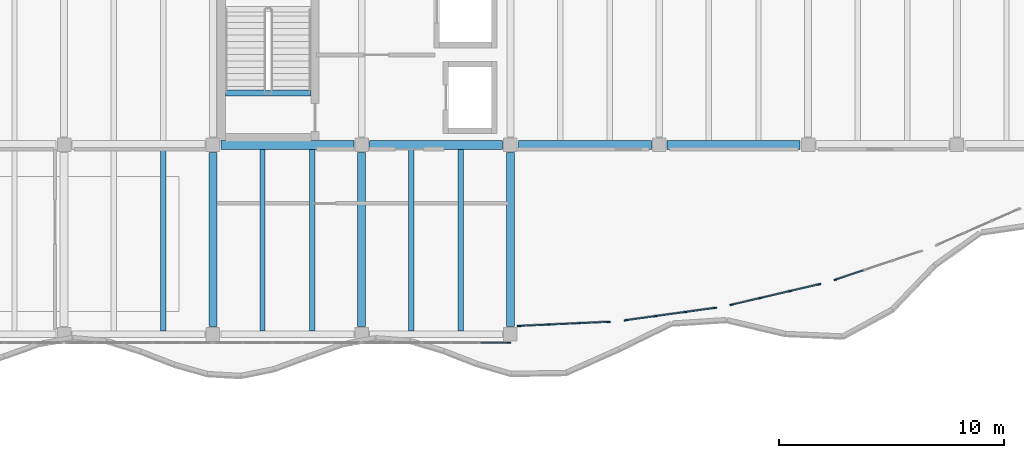
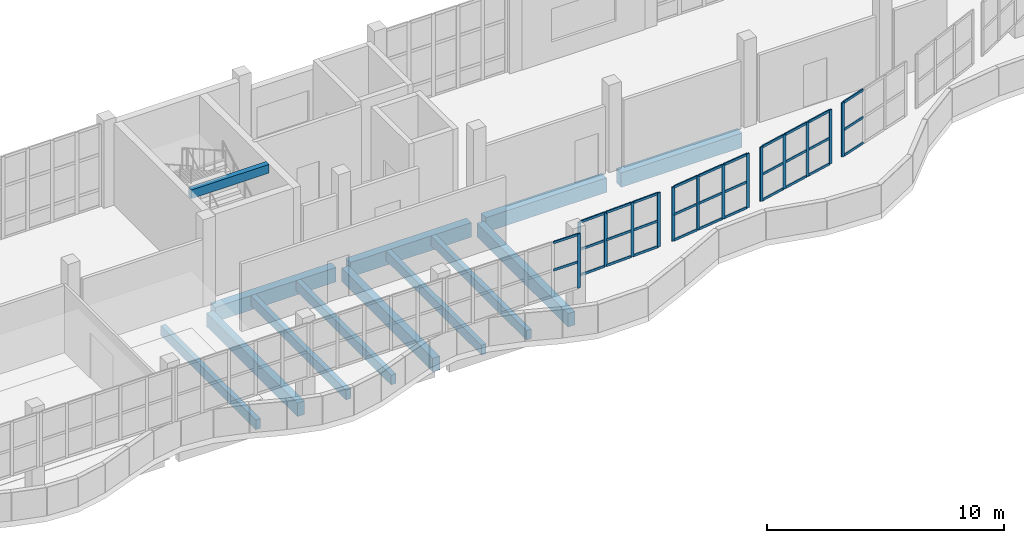
# One storey, part 15 of 76: 46 members, 13 beams, 5 elements without a shape of their own.
"""IFC4 building model written with IfcOpenShell, lengths in metres."""

from ifc_helpers import new_model, si_unit, direction, frame, origin, origin_2d, place, context, subcontext, project, spatial, rectangle, extrude, material, material_profile, profile_set, type_object, element, aggregate, save


model = new_model("IFC4")

# Units and contexts
model_context = context("Model", 3, precision=1e-05, world=origin(), true_north=direction((0.0, 1.0)))
body_context = subcontext(model_context, "Body", "Model", "MODEL_VIEW")
ifc_project = project(units=[si_unit("LENGTHUNIT", "METRE"), si_unit("AREAUNIT", "SQUARE_METRE"), si_unit("VOLUMEUNIT", "CUBIC_METRE"), si_unit("PLANEANGLEUNIT", "RADIAN"), si_unit("MASSUNIT", "GRAM", prefix="KILO")], contexts=[model_context])

# Site, building, storey
site_placement = place(None, origin())
site = spatial("IfcSite", under=ifc_project, at=site_placement, CompositionType="ELEMENT")
building_placement = place(site_placement, origin())
building = spatial("IfcBuilding", under=site, at=building_placement, Name="Qaldarim Faculty of Natural and Applied Sciences", CompositionType="ELEMENT")
storey_placement = place(building_placement, frame((0.0, 0.0, 9.89990234375)))
storey = spatial("IfcBuildingStorey", under=building, at=storey_placement, Name="L02", CompositionType="ELEMENT", Elevation=9.89990234375)

# Beams
ifc_material_1 = material(Name="Concrete C40/50", Category="concrete")
ifc_material_profile_1 = material_profile(ifc_material_1, rectangle(XDim=0.239990234375, YDim=0.5, at=origin_2d()), Name="RC-J240x500")
ifc_profile_set_1 = profile_set([ifc_material_profile_1], Name="Concrete C40/50")
beam_type_1 = type_object("IfcBeamType", Name="HeavyJoist-RC240x500", PredefinedType="JOIST", material=ifc_profile_set_1)
for number, where, z_axis, x_axis, name in (
    (1, (96.800048828125, 100.949951171875, -0.5498046875), (0.0, 1.0, 0.0), (-1.0, 0.0, 0.0), "Laboratory joist L01 bay X15Y13-2"),
    (2, (101.199951171875, 100.949951171875, -0.5498046875), (0.0, 1.0, 0.0), (-1.0, 0.0, 0.0), "Laboratory joist L01 bay X16Y13-1"),
    (3, (103.39990234375, 100.949951171875, -0.5498046875), (0.0, 1.0, 0.0), (-1.0, 0.0, 0.0), "Laboratory joist L01 bay X16Y13-2"),
    (4, (107.800048828125, 100.949951171875, -0.5498046875), (0.0, 1.0, 0.0), (-1.0, 0.0, 0.0), "Laboratory joist L01 bay X17Y13-1"),
    (5, (110.0, 100.949951171875, -0.5498046875), (0.0, 1.0, 0.0), (-1.0, 0.0, 0.0), "Laboratory joist L01 bay X17Y13-2"),
):
    element("IfcBeam", number, at=place(storey_placement, frame(where, z_axis=z_axis, x_axis=x_axis)), inside=storey, type_object=beam_type_1, Name=name, PredefinedType="JOIST", context=body_context, shape_type="SweptSolid", body=[
        extrude(rectangle(XDim=0.239990234375, YDim=0.5, at=origin_2d()), origin(), (0.0, 0.0, 1.0), 8.050048828125),
    ])
ifc_material_2 = material(Name="Concrete C50/60", Category="concrete")
ifc_material_profile_2 = material_profile(ifc_material_2, rectangle(XDim=0.39990234375, YDim=0.75, at=origin_2d()), Name="RC-B400x750")
ifc_profile_set_2 = profile_set([ifc_material_profile_2], Name="Concrete C50/60")
beam_type_2 = type_object("IfcBeamType", Name="LabGirder-RC400x750", PredefinedType="BEAM", material=ifc_profile_set_2)
beam_1_placement = place(storey_placement, frame((99.35009765625, 109.199951171875, -0.6748046875), z_axis=(1.0, 0.0, 0.0), x_axis=(0.0, 1.0, 0.0)))
element("IfcBeam", 6, at=beam_1_placement, inside=storey, type_object=beam_type_2, Name="Beam RC-B400x750 L01 X16-X17/Y14", PredefinedType="BEAM", context=body_context, shape_type="SweptSolid", body=[
    extrude(rectangle(XDim=0.39990234375, YDim=0.75, at=origin_2d()), origin(), (0.0, 0.0, 1.0), 5.89990234375),
])
beam_2_placement = place(storey_placement, frame((105.949951171875, 109.199951171875, -0.6748046875), z_axis=(1.0, 0.0, 0.0), x_axis=(0.0, 1.0, 0.0)))
element("IfcBeam", 7, at=beam_2_placement, inside=storey, type_object=beam_type_2, Name="Beam RC-B400x750 L01 X17-X18/Y14", PredefinedType="BEAM", context=body_context, shape_type="SweptSolid", body=[
    extrude(rectangle(XDim=0.39990234375, YDim=0.75, at=origin_2d()), origin(), (0.0, 0.0, 1.0), 5.900146484375),
])
beam_3_placement = place(storey_placement, frame((112.550048828125, 109.199951171875, -0.6748046875), z_axis=(1.0, 0.0, 0.0), x_axis=(0.0, 1.0, 0.0)))
element("IfcBeam", 8, at=beam_3_placement, inside=storey, type_object=beam_type_2, Name="Beam RC-B400x750 L01 X18-X19/Y14", PredefinedType="BEAM", context=body_context, shape_type="SweptSolid", body=[
    extrude(rectangle(XDim=0.39990234375, YDim=0.75, at=origin_2d()), origin(), (0.0, 0.0, 1.0), 5.89990234375),
])
beam_4_placement = place(storey_placement, frame((119.14990234375, 109.199951171875, -0.6748046875), z_axis=(1.0, 0.0, 0.0), x_axis=(0.0, 1.0, 0.0)))
element("IfcBeam", 9, at=beam_4_placement, inside=storey, type_object=beam_type_2, Name="Beam RC-B400x750 L01 X19-X20/Y14", PredefinedType="BEAM", context=body_context, shape_type="SweptSolid", body=[
    extrude(rectangle(XDim=0.39990234375, YDim=0.75, at=origin_2d()), origin(), (0.0, 0.0, 1.0), 5.900146484375),
])
ifc_material_profile_3 = material_profile(ifc_material_1, rectangle(XDim=0.25, YDim=0.449951171875, at=origin_2d()), Name="RC-LN250x450")
ifc_profile_set_3 = profile_set([ifc_material_profile_3], Name="Concrete C40/50")
beam_type_3 = type_object("IfcBeamType", Name="LandingSupportBeam-RC250x450", PredefinedType="BEAM", material=ifc_profile_set_3)
beam_5_placement = place(storey_placement, frame((99.550048828125, 111.5, 4.01513671875), z_axis=(1.0, 0.0, 0.0), x_axis=(0.0, 1.0, 0.0)))
element("IfcBeam", 10, at=beam_5_placement, inside=storey, type_object=beam_type_3, Name="Stair arrival support beam ST-B1 L02", PredefinedType="BEAM", context=body_context, shape_type="SweptSolid", body=[
    extrude(rectangle(XDim=0.25, YDim=0.449951171875, at=origin_2d()), origin(), (0.0, 0.0, 1.0), 3.800048828125),
])

# Curtain wall, member
ifc_material_3 = material(Name="Anodised aluminium AW-6063", Category="aluminium")
curtain_wall_type = type_object("IfcCurtainWallType", Name="CurtainWallSystem-M1400", PredefinedType="USERDEFINED", material=ifc_material_3)
curtain_wall_1_placement = place(storey_placement, origin())
curtain_wall_1 = element("IfcCurtainWall", 11, at=curtain_wall_1_placement, inside=storey, type_object=curtain_wall_type, Name="Curtain wall CW-V4RIB-L02-X17", ObjectType="STICK CURTAIN WALL", PredefinedType="USERDEFINED")
ifc_material_profile_4 = material_profile(ifc_material_3, rectangle(XDim=0.06005859375, YDim=0.14990234375, at=origin_2d()), Name="ALU-M60x150")
ifc_profile_set_4 = profile_set([ifc_material_profile_4], Name="Anodised aluminium AW-6063")
member_type_1 = type_object("IfcMemberType", Name="Mullion-ALU60x150", PredefinedType="MULLION", material=ifc_profile_set_4)
member_1_placement = place(storey_placement, frame((112.1298828125, 100.419921875, 1.4501953125), z_axis=(0.0, 0.0, 1.0), x_axis=(0.0, 1.0, 0.0)))
member_1 = element("IfcMember", 12, at=member_1_placement, type_object=member_type_1, Name="Mullion 6 of CW-V4RIB-L02-X17", PredefinedType="MULLION", context=body_context, shape_type="SweptSolid", body=[
    extrude(rectangle(XDim=0.06005859375, YDim=0.14990234375, at=origin_2d()), origin(), (0.0, 0.0, 1.0), 2.789794921875),
])

# Curtain wall, members
curtain_wall_2_placement = place(storey_placement, origin())
curtain_wall_2 = element("IfcCurtainWall", 13, at=curtain_wall_2_placement, inside=storey, type_object=curtain_wall_type, Name="Curtain wall CW-V4ARC-L02-00", ObjectType="STICK CURTAIN WALL", PredefinedType="USERDEFINED")
member_2_placement = place(storey_placement, frame((112.580078125, 101.16650390625, 1.4501953125), z_axis=(0.0, 0.0, 1.0), x_axis=(-0.045746561938, 0.998953078013, 0.0)))
member_2 = element("IfcMember", 14, at=member_2_placement, type_object=member_type_1, Name="Mullion 1 of CW-V4ARC-L02-00", PredefinedType="MULLION", context=body_context, shape_type="SweptSolid", body=[
    extrude(rectangle(XDim=0.06005859375, YDim=0.14990234375, at=origin_2d()), origin(), (0.0, 0.0, 1.0), 2.789794921875),
])
member_3_placement = place(storey_placement, frame((113.896728515625, 101.226806640625, 1.4501953125), z_axis=(0.0, 0.0, 1.0), x_axis=(-0.045746561938, 0.998953078013, 0.0)))
member_3 = element("IfcMember", 15, at=member_3_placement, type_object=member_type_1, Name="Mullion 2 of CW-V4ARC-L02-00", PredefinedType="MULLION", context=body_context, shape_type="SweptSolid", body=[
    extrude(rectangle(XDim=0.06005859375, YDim=0.14990234375, at=origin_2d()), origin(), (0.0, 0.0, 1.0), 2.789794921875),
])
member_4_placement = place(storey_placement, frame((115.243408203125, 101.288330078125, 1.4501953125), z_axis=(0.0, 0.0, 1.0), x_axis=(-0.045746561938, 0.998953078013, 0.0)))
member_4 = element("IfcMember", 16, at=member_4_placement, type_object=member_type_1, Name="Mullion 3 of CW-V4ARC-L02-00", PredefinedType="MULLION", context=body_context, shape_type="SweptSolid", body=[
    extrude(rectangle(XDim=0.06005859375, YDim=0.14990234375, at=origin_2d()), origin(), (0.0, 0.0, 1.0), 2.789794921875),
])
member_5_placement = place(storey_placement, frame((116.56005859375, 101.3486328125, 1.4501953125), z_axis=(0.0, 0.0, 1.0), x_axis=(-0.045746561938, 0.998953078013, 0.0)))
member_5 = element("IfcMember", 17, at=member_5_placement, type_object=member_type_1, Name="Mullion 4 of CW-V4ARC-L02-00", PredefinedType="MULLION", context=body_context, shape_type="SweptSolid", body=[
    extrude(rectangle(XDim=0.06005859375, YDim=0.14990234375, at=origin_2d()), origin(), (0.0, 0.0, 1.0), 2.789794921875),
])

curtain_wall_3_placement = place(storey_placement, origin())
curtain_wall_3 = element("IfcCurtainWall", 18, at=curtain_wall_3_placement, inside=storey, type_object=curtain_wall_type, Name="Curtain wall CW-V4ARC-L02-02", ObjectType="STICK CURTAIN WALL", PredefinedType="USERDEFINED")
member_6_placement = place(storey_placement, frame((117.314697265625, 101.419189453125, 1.4501953125), z_axis=(0.0, 0.0, 1.0), x_axis=(-0.137098784642, 0.990557380089, 0.0)))
member_6 = element("IfcMember", 19, at=member_6_placement, type_object=member_type_1, Name="Mullion 1 of CW-V4ARC-L02-02", PredefinedType="MULLION", context=body_context, shape_type="SweptSolid", body=[
    extrude(rectangle(XDim=0.06005859375, YDim=0.14990234375, at=origin_2d()), origin(), (0.0, 0.0, 1.0), 2.789794921875),
])
member_7_placement = place(storey_placement, frame((118.62158203125, 101.60009765625, 1.4501953125), z_axis=(0.0, 0.0, 1.0), x_axis=(-0.137098784642, 0.990557380089, 0.0)))
member_7 = element("IfcMember", 20, at=member_7_placement, type_object=member_type_1, Name="Mullion 2 of CW-V4ARC-L02-02", PredefinedType="MULLION", context=body_context, shape_type="SweptSolid", body=[
    extrude(rectangle(XDim=0.06005859375, YDim=0.14990234375, at=origin_2d()), origin(), (0.0, 0.0, 1.0), 2.789794921875),
])
member_8_placement = place(storey_placement, frame((119.958251953125, 101.784912109375, 1.4501953125), z_axis=(0.0, 0.0, 1.0), x_axis=(-0.137098784642, 0.990557380089, 0.0)))
member_8 = element("IfcMember", 21, at=member_8_placement, type_object=member_type_1, Name="Mullion 3 of CW-V4ARC-L02-02", PredefinedType="MULLION", context=body_context, shape_type="SweptSolid", body=[
    extrude(rectangle(XDim=0.06005859375, YDim=0.14990234375, at=origin_2d()), origin(), (0.0, 0.0, 1.0), 2.789794921875),
])
member_9_placement = place(storey_placement, frame((121.265380859375, 101.9658203125, 1.4501953125), z_axis=(0.0, 0.0, 1.0), x_axis=(-0.137098784642, 0.990557380089, 0.0)))
member_9 = element("IfcMember", 22, at=member_9_placement, type_object=member_type_1, Name="Mullion 4 of CW-V4ARC-L02-02", PredefinedType="MULLION", context=body_context, shape_type="SweptSolid", body=[
    extrude(rectangle(XDim=0.06005859375, YDim=0.14990234375, at=origin_2d()), origin(), (0.0, 0.0, 1.0), 2.789794921875),
])

curtain_wall_4_placement = place(storey_placement, origin())
curtain_wall_4 = element("IfcCurtainWall", 23, at=curtain_wall_4_placement, inside=storey, type_object=curtain_wall_type, Name="Curtain wall CW-V4ARC-L02-04", ObjectType="STICK CURTAIN WALL", PredefinedType="USERDEFINED")
member_10_placement = place(storey_placement, frame((122.00927734375, 102.106689453125, 1.4501953125), z_axis=(0.0, 0.0, 1.0), x_axis=(-0.2273822043, 0.973805593108, 0.0)))
member_10 = element("IfcMember", 24, at=member_10_placement, type_object=member_type_1, Name="Mullion 1 of CW-V4ARC-L02-04", PredefinedType="MULLION", context=body_context, shape_type="SweptSolid", body=[
    extrude(rectangle(XDim=0.06005859375, YDim=0.14990234375, at=origin_2d()), origin(), (0.0, 0.0, 1.0), 2.789794921875),
])
member_11_placement = place(storey_placement, frame((123.293212890625, 102.40673828125, 1.4501953125), z_axis=(0.0, 0.0, 1.0), x_axis=(-0.2273822043, 0.973805593108, 0.0)))
member_11 = element("IfcMember", 25, at=member_11_placement, type_object=member_type_1, Name="Mullion 2 of CW-V4ARC-L02-04", PredefinedType="MULLION", context=body_context, shape_type="SweptSolid", body=[
    extrude(rectangle(XDim=0.06005859375, YDim=0.14990234375, at=origin_2d()), origin(), (0.0, 0.0, 1.0), 2.789794921875),
])
member_12_placement = place(storey_placement, frame((124.606689453125, 102.71337890625, 1.4501953125), z_axis=(0.0, 0.0, 1.0), x_axis=(-0.2273822043, 0.973805593108, 0.0)))
member_12 = element("IfcMember", 26, at=member_12_placement, type_object=member_type_1, Name="Mullion 3 of CW-V4ARC-L02-04", PredefinedType="MULLION", context=body_context, shape_type="SweptSolid", body=[
    extrude(rectangle(XDim=0.06005859375, YDim=0.14990234375, at=origin_2d()), origin(), (0.0, 0.0, 1.0), 2.789794921875),
])
member_13_placement = place(storey_placement, frame((125.890869140625, 103.01318359375, 1.4501953125), z_axis=(0.0, 0.0, 1.0), x_axis=(-0.2273822043, 0.973805593108, 0.0)))
member_13 = element("IfcMember", 27, at=member_13_placement, type_object=member_type_1, Name="Mullion 4 of CW-V4ARC-L02-04", PredefinedType="MULLION", context=body_context, shape_type="SweptSolid", body=[
    extrude(rectangle(XDim=0.06005859375, YDim=0.14990234375, at=origin_2d()), origin(), (0.0, 0.0, 1.0), 2.789794921875),
])

# Curtain wall, member
curtain_wall_5_placement = place(storey_placement, origin())
curtain_wall_5 = element("IfcCurtainWall", 28, at=curtain_wall_5_placement, inside=storey, type_object=curtain_wall_type, Name="Curtain wall CW-V4ARC-L02-06", ObjectType="STICK CURTAIN WALL", PredefinedType="USERDEFINED")
member_14_placement = place(storey_placement, frame((126.62353515625, 103.219482421875, 1.4501953125), z_axis=(0.0, 0.0, 1.0), x_axis=(-0.316592858196, 0.94856152259, 0.0)))
member_14 = element("IfcMember", 29, at=member_14_placement, type_object=member_type_1, Name="Mullion 1 of CW-V4ARC-L02-06", PredefinedType="MULLION", context=body_context, shape_type="SweptSolid", body=[
    extrude(rectangle(XDim=0.06005859375, YDim=0.14990234375, at=origin_2d()), origin(), (0.0, 0.0, 1.0), 2.789794921875),
])

# Beams
ifc_material_profile_5 = material_profile(ifc_material_1, rectangle(XDim=0.35009765625, YDim=0.699951171875, at=origin_2d()), Name="RC-B350x700")
ifc_profile_set_5 = profile_set([ifc_material_profile_5], Name="Concrete C40/50")
beam_type_4 = type_object("IfcBeamType", Name="PrimaryGirder-RC350x700", PredefinedType="BEAM", material=ifc_profile_set_5)
for number, where, z_axis, x_axis, name in (
    (30, (99.0, 101.14990234375, -0.64990234375), (0.0, 1.0, 0.0), (-1.0, 0.0, 0.0), "Beam RC-B350x700 L01 X16/Y13-Y14"),
    (31, (105.60009765625, 101.14990234375, -0.64990234375), (0.0, 1.0, 0.0), (-1.0, 0.0, 0.0), "Beam RC-B350x700 L01 X17/Y13-Y14"),
    (32, (112.199951171875, 101.14990234375, -0.64990234375), (0.0, 1.0, 0.0), (-1.0, 0.0, 0.0), "Beam RC-B350x700 L01 X18/Y13-Y14"),
):
    element("IfcBeam", number, at=place(storey_placement, frame(where, z_axis=z_axis, x_axis=x_axis)), inside=storey, type_object=beam_type_4, Name=name, PredefinedType="BEAM", context=body_context, shape_type="SweptSolid", body=[
        extrude(rectangle(XDim=0.35009765625, YDim=0.699951171875, at=origin_2d()), origin(), (0.0, 0.0, 1.0), 7.7001953125),
    ])

# Member
ifc_material_profile_6 = material_profile(ifc_material_3, rectangle(XDim=0.06005859375, YDim=0.1201171875, at=origin_2d()), Name="ALU-T60x120")
ifc_profile_set_6 = profile_set([ifc_material_profile_6], Name="Anodised aluminium AW-6063")
member_type_2 = type_object("IfcMemberType", Name="Transom-ALU60x120", PredefinedType="USERDEFINED", material=ifc_profile_set_6)
member_15_placement = place(storey_placement, frame((110.885986328125, 100.419921875, 2.800048828125), z_axis=(1.0, 0.0, 0.0), x_axis=(0.0, 1.0, 0.0)))
member_15 = element("IfcMember", 33, at=member_15_placement, type_object=member_type_2, Name="Transom 5-2 of CW-V4RIB-L02-X17", ObjectType="TRANSOM", PredefinedType="USERDEFINED", context=body_context, shape_type="SweptSolid", body=[
    extrude(rectangle(XDim=0.06005859375, YDim=0.1201171875, at=origin_2d()), origin(), (0.0, 0.0, 1.0), 1.214111328125),
])

member_16_placement = place(storey_placement, frame((110.885986328125, 100.419921875, 4.210205078125), z_axis=(1.0, 0.0, 0.0), x_axis=(0.0, 1.0, 0.0)))
member_16 = element("IfcMember", 34, at=member_16_placement, type_object=member_type_2, Name="Transom 5-3 of CW-V4RIB-L02-X17", ObjectType="TRANSOM", PredefinedType="USERDEFINED", context=body_context, shape_type="SweptSolid", body=[
    extrude(rectangle(XDim=0.06005859375, YDim=0.1201171875, at=origin_2d()), origin(), (0.0, 0.0, 1.0), 1.214111328125),
])

aggregate(curtain_wall_1, [member_1, member_15, member_16])

member_17_placement = place(storey_placement, frame((112.60986328125, 101.167724609375, 1.47998046875), z_axis=(0.998950860926, 0.045794950112, 0.0), x_axis=(-0.045794950112, 0.998950860926, 0.0)))
member_17 = element("IfcMember", 35, at=member_17_placement, type_object=member_type_2, Name="Transom 1-1 of CW-V4ARC-L02-00", ObjectType="TRANSOM", PredefinedType="USERDEFINED", context=body_context, shape_type="SweptSolid", body=[
    extrude(rectangle(XDim=0.06005859375, YDim=0.1201171875, at=origin_2d()), origin(), (0.0, 0.0, 1.0), 1.258056640625),
])

member_18_placement = place(storey_placement, frame((112.60986328125, 101.167724609375, 2.800048828125), z_axis=(0.998950860926, 0.045794950112, 0.0), x_axis=(-0.045794950112, 0.998950860926, 0.0)))
member_18 = element("IfcMember", 36, at=member_18_placement, type_object=member_type_2, Name="Transom 1-2 of CW-V4ARC-L02-00", ObjectType="TRANSOM", PredefinedType="USERDEFINED", context=body_context, shape_type="SweptSolid", body=[
    extrude(rectangle(XDim=0.06005859375, YDim=0.1201171875, at=origin_2d()), origin(), (0.0, 0.0, 1.0), 1.258056640625),
])

member_19_placement = place(storey_placement, frame((112.60986328125, 101.167724609375, 4.210205078125), z_axis=(0.998950860926, 0.045794950112, 0.0), x_axis=(-0.045794950112, 0.998950860926, 0.0)))
member_19 = element("IfcMember", 37, at=member_19_placement, type_object=member_type_2, Name="Transom 1-3 of CW-V4ARC-L02-00", ObjectType="TRANSOM", PredefinedType="USERDEFINED", context=body_context, shape_type="SweptSolid", body=[
    extrude(rectangle(XDim=0.06005859375, YDim=0.1201171875, at=origin_2d()), origin(), (0.0, 0.0, 1.0), 1.258056640625),
])

member_20_placement = place(storey_placement, frame((113.926513671875, 101.22802734375, 1.47998046875), z_axis=(0.998947726126, 0.04586328016, 0.0), x_axis=(-0.04586328016, 0.998947726126, 0.0)))
member_20 = element("IfcMember", 38, at=member_20_placement, type_object=member_type_2, Name="Transom 2-1 of CW-V4ARC-L02-00", ObjectType="TRANSOM", PredefinedType="USERDEFINED", context=body_context, shape_type="SweptSolid", body=[
    extrude(rectangle(XDim=0.06005859375, YDim=0.1201171875, at=origin_2d()), origin(), (0.0, 0.0, 1.0), 1.288330078125),
])

member_21_placement = place(storey_placement, frame((113.926513671875, 101.22802734375, 2.800048828125), z_axis=(0.998947726126, 0.04586328016, 0.0), x_axis=(-0.04586328016, 0.998947726126, 0.0)))
member_21 = element("IfcMember", 39, at=member_21_placement, type_object=member_type_2, Name="Transom 2-2 of CW-V4ARC-L02-00", ObjectType="TRANSOM", PredefinedType="USERDEFINED", context=body_context, shape_type="SweptSolid", body=[
    extrude(rectangle(XDim=0.06005859375, YDim=0.1201171875, at=origin_2d()), origin(), (0.0, 0.0, 1.0), 1.288330078125),
])

member_22_placement = place(storey_placement, frame((113.926513671875, 101.22802734375, 4.210205078125), z_axis=(0.998947726126, 0.04586328016, 0.0), x_axis=(-0.04586328016, 0.998947726126, 0.0)))
member_22 = element("IfcMember", 40, at=member_22_placement, type_object=member_type_2, Name="Transom 2-3 of CW-V4ARC-L02-00", ObjectType="TRANSOM", PredefinedType="USERDEFINED", context=body_context, shape_type="SweptSolid", body=[
    extrude(rectangle(XDim=0.06005859375, YDim=0.1201171875, at=origin_2d()), origin(), (0.0, 0.0, 1.0), 1.288330078125),
])

member_23_placement = place(storey_placement, frame((115.273193359375, 101.289794921875, 1.47998046875), z_axis=(0.998950860926, 0.045794950112, 0.0), x_axis=(-0.045794950112, 0.998950860926, 0.0)))
member_23 = element("IfcMember", 41, at=member_23_placement, type_object=member_type_2, Name="Transom 3-1 of CW-V4ARC-L02-00", ObjectType="TRANSOM", PredefinedType="USERDEFINED", context=body_context, shape_type="SweptSolid", body=[
    extrude(rectangle(XDim=0.06005859375, YDim=0.1201171875, at=origin_2d()), origin(), (0.0, 0.0, 1.0), 1.258056640625),
])

member_24_placement = place(storey_placement, frame((115.273193359375, 101.289794921875, 2.800048828125), z_axis=(0.998950860926, 0.045794950112, 0.0), x_axis=(-0.045794950112, 0.998950860926, 0.0)))
member_24 = element("IfcMember", 42, at=member_24_placement, type_object=member_type_2, Name="Transom 3-2 of CW-V4ARC-L02-00", ObjectType="TRANSOM", PredefinedType="USERDEFINED", context=body_context, shape_type="SweptSolid", body=[
    extrude(rectangle(XDim=0.06005859375, YDim=0.1201171875, at=origin_2d()), origin(), (0.0, 0.0, 1.0), 1.258056640625),
])

member_25_placement = place(storey_placement, frame((115.273193359375, 101.289794921875, 4.210205078125), z_axis=(0.998950860926, 0.045794950112, 0.0), x_axis=(-0.045794950112, 0.998950860926, 0.0)))
member_25 = element("IfcMember", 43, at=member_25_placement, type_object=member_type_2, Name="Transom 3-3 of CW-V4ARC-L02-00", ObjectType="TRANSOM", PredefinedType="USERDEFINED", context=body_context, shape_type="SweptSolid", body=[
    extrude(rectangle(XDim=0.06005859375, YDim=0.1201171875, at=origin_2d()), origin(), (0.0, 0.0, 1.0), 1.258056640625),
])

aggregate(curtain_wall_2, [member_2, member_3, member_4, member_5, member_17, member_18, member_19, member_20, member_21, member_22, member_23, member_24, member_25])

member_26_placement = place(storey_placement, frame((117.344482421875, 101.423095703125, 1.47998046875), z_axis=(0.990534056206, 0.137267197454, 0.0), x_axis=(-0.137267197454, 0.990534056206, 0.0)))
member_26 = element("IfcMember", 44, at=member_26_placement, type_object=member_type_2, Name="Transom 1-1 of CW-V4ARC-L02-02", ObjectType="TRANSOM", PredefinedType="USERDEFINED", context=body_context, shape_type="SweptSolid", body=[
    extrude(rectangle(XDim=0.06005859375, YDim=0.1201171875, at=origin_2d()), origin(), (0.0, 0.0, 1.0), 1.25927734375),
])

member_27_placement = place(storey_placement, frame((117.344482421875, 101.423095703125, 2.800048828125), z_axis=(0.990534056206, 0.137267197454, 0.0), x_axis=(-0.137267197454, 0.990534056206, 0.0)))
member_27 = element("IfcMember", 45, at=member_27_placement, type_object=member_type_2, Name="Transom 1-2 of CW-V4ARC-L02-02", ObjectType="TRANSOM", PredefinedType="USERDEFINED", context=body_context, shape_type="SweptSolid", body=[
    extrude(rectangle(XDim=0.06005859375, YDim=0.1201171875, at=origin_2d()), origin(), (0.0, 0.0, 1.0), 1.25927734375),
])

member_28_placement = place(storey_placement, frame((117.344482421875, 101.423095703125, 4.210205078125), z_axis=(0.990534056206, 0.137267197454, 0.0), x_axis=(-0.137267197454, 0.990534056206, 0.0)))
member_28 = element("IfcMember", 46, at=member_28_placement, type_object=member_type_2, Name="Transom 1-3 of CW-V4ARC-L02-02", ObjectType="TRANSOM", PredefinedType="USERDEFINED", context=body_context, shape_type="SweptSolid", body=[
    extrude(rectangle(XDim=0.06005859375, YDim=0.1201171875, at=origin_2d()), origin(), (0.0, 0.0, 1.0), 1.25927734375),
])

member_29_placement = place(storey_placement, frame((118.6513671875, 101.60400390625, 1.47998046875), z_axis=(0.990535220067, 0.137258798652, 0.0), x_axis=(-0.137258798652, 0.990535220067, 0.0)))
member_29 = element("IfcMember", 47, at=member_29_placement, type_object=member_type_2, Name="Transom 2-1 of CW-V4ARC-L02-02", ObjectType="TRANSOM", PredefinedType="USERDEFINED", context=body_context, shape_type="SweptSolid", body=[
    extrude(rectangle(XDim=0.06005859375, YDim=0.1201171875, at=origin_2d()), origin(), (0.0, 0.0, 1.0), 1.28955078125),
])

member_30_placement = place(storey_placement, frame((118.6513671875, 101.60400390625, 2.800048828125), z_axis=(0.990535220067, 0.137258798652, 0.0), x_axis=(-0.137258798652, 0.990535220067, 0.0)))
member_30 = element("IfcMember", 48, at=member_30_placement, type_object=member_type_2, Name="Transom 2-2 of CW-V4ARC-L02-02", ObjectType="TRANSOM", PredefinedType="USERDEFINED", context=body_context, shape_type="SweptSolid", body=[
    extrude(rectangle(XDim=0.06005859375, YDim=0.1201171875, at=origin_2d()), origin(), (0.0, 0.0, 1.0), 1.28955078125),
])

member_31_placement = place(storey_placement, frame((118.6513671875, 101.60400390625, 4.210205078125), z_axis=(0.990535220067, 0.137258798652, 0.0), x_axis=(-0.137258798652, 0.990535220067, 0.0)))
member_31 = element("IfcMember", 49, at=member_31_placement, type_object=member_type_2, Name="Transom 2-3 of CW-V4ARC-L02-02", ObjectType="TRANSOM", PredefinedType="USERDEFINED", context=body_context, shape_type="SweptSolid", body=[
    extrude(rectangle(XDim=0.06005859375, YDim=0.1201171875, at=origin_2d()), origin(), (0.0, 0.0, 1.0), 1.28955078125),
])

member_32_placement = place(storey_placement, frame((119.988037109375, 101.7890625, 1.47998046875), z_axis=(0.9905377083, 0.137240840993, 0.0), x_axis=(-0.137240840993, 0.9905377083, 0.0)))
member_32 = element("IfcMember", 50, at=member_32_placement, type_object=member_type_2, Name="Transom 3-1 of CW-V4ARC-L02-02", ObjectType="TRANSOM", PredefinedType="USERDEFINED", context=body_context, shape_type="SweptSolid", body=[
    extrude(rectangle(XDim=0.06005859375, YDim=0.1201171875, at=origin_2d()), origin(), (0.0, 0.0, 1.0), 1.259521484375),
])

member_33_placement = place(storey_placement, frame((119.988037109375, 101.7890625, 2.800048828125), z_axis=(0.9905377083, 0.137240840993, 0.0), x_axis=(-0.137240840993, 0.9905377083, 0.0)))
member_33 = element("IfcMember", 51, at=member_33_placement, type_object=member_type_2, Name="Transom 3-2 of CW-V4ARC-L02-02", ObjectType="TRANSOM", PredefinedType="USERDEFINED", context=body_context, shape_type="SweptSolid", body=[
    extrude(rectangle(XDim=0.06005859375, YDim=0.1201171875, at=origin_2d()), origin(), (0.0, 0.0, 1.0), 1.259521484375),
])

member_34_placement = place(storey_placement, frame((119.988037109375, 101.7890625, 4.210205078125), z_axis=(0.9905377083, 0.137240840993, 0.0), x_axis=(-0.137240840993, 0.9905377083, 0.0)))
member_34 = element("IfcMember", 52, at=member_34_placement, type_object=member_type_2, Name="Transom 3-3 of CW-V4ARC-L02-02", ObjectType="TRANSOM", PredefinedType="USERDEFINED", context=body_context, shape_type="SweptSolid", body=[
    extrude(rectangle(XDim=0.06005859375, YDim=0.1201171875, at=origin_2d()), origin(), (0.0, 0.0, 1.0), 1.259521484375),
])

aggregate(curtain_wall_3, [member_6, member_7, member_8, member_9, member_26, member_27, member_28, member_29, member_30, member_31, member_32, member_33, member_34])

member_35_placement = place(storey_placement, frame((122.038330078125, 102.113525390625, 1.47998046875), z_axis=(0.973779660512, 0.227493236762, 0.0), x_axis=(-0.227493236762, 0.973779660512, 0.0)))
member_35 = element("IfcMember", 53, at=member_35_placement, type_object=member_type_2, Name="Transom 1-1 of CW-V4ARC-L02-04", ObjectType="TRANSOM", PredefinedType="USERDEFINED", context=body_context, shape_type="SweptSolid", body=[
    extrude(rectangle(XDim=0.06005859375, YDim=0.1201171875, at=origin_2d()), origin(), (0.0, 0.0, 1.0), 1.2587890625),
])

member_36_placement = place(storey_placement, frame((122.038330078125, 102.113525390625, 2.800048828125), z_axis=(0.973779660512, 0.227493236762, 0.0), x_axis=(-0.227493236762, 0.973779660512, 0.0)))
member_36 = element("IfcMember", 54, at=member_36_placement, type_object=member_type_2, Name="Transom 1-2 of CW-V4ARC-L02-04", ObjectType="TRANSOM", PredefinedType="USERDEFINED", context=body_context, shape_type="SweptSolid", body=[
    extrude(rectangle(XDim=0.06005859375, YDim=0.1201171875, at=origin_2d()), origin(), (0.0, 0.0, 1.0), 1.2587890625),
])

member_37_placement = place(storey_placement, frame((122.038330078125, 102.113525390625, 4.210205078125), z_axis=(0.973779660512, 0.227493236762, 0.0), x_axis=(-0.227493236762, 0.973779660512, 0.0)))
member_37 = element("IfcMember", 55, at=member_37_placement, type_object=member_type_2, Name="Transom 1-3 of CW-V4ARC-L02-04", ObjectType="TRANSOM", PredefinedType="USERDEFINED", context=body_context, shape_type="SweptSolid", body=[
    extrude(rectangle(XDim=0.06005859375, YDim=0.1201171875, at=origin_2d()), origin(), (0.0, 0.0, 1.0), 1.2587890625),
])

member_38_placement = place(storey_placement, frame((123.322509765625, 102.41357421875, 1.47998046875), z_axis=(0.973813252853, 0.227349397553, 0.0), x_axis=(-0.227349397553, 0.973813252853, 0.0)))
member_38 = element("IfcMember", 56, at=member_38_placement, type_object=member_type_2, Name="Transom 2-1 of CW-V4ARC-L02-04", ObjectType="TRANSOM", PredefinedType="USERDEFINED", context=body_context, shape_type="SweptSolid", body=[
    extrude(rectangle(XDim=0.06005859375, YDim=0.1201171875, at=origin_2d()), origin(), (0.0, 0.0, 1.0), 1.28857421875),
])

member_39_placement = place(storey_placement, frame((123.322509765625, 102.41357421875, 2.800048828125), z_axis=(0.973813252853, 0.227349397553, 0.0), x_axis=(-0.227349397553, 0.973813252853, 0.0)))
member_39 = element("IfcMember", 57, at=member_39_placement, type_object=member_type_2, Name="Transom 2-2 of CW-V4ARC-L02-04", ObjectType="TRANSOM", PredefinedType="USERDEFINED", context=body_context, shape_type="SweptSolid", body=[
    extrude(rectangle(XDim=0.06005859375, YDim=0.1201171875, at=origin_2d()), origin(), (0.0, 0.0, 1.0), 1.28857421875),
])

member_40_placement = place(storey_placement, frame((123.322509765625, 102.41357421875, 4.210205078125), z_axis=(0.973813252853, 0.227349397553, 0.0), x_axis=(-0.227349397553, 0.973813252853, 0.0)))
member_40 = element("IfcMember", 58, at=member_40_placement, type_object=member_type_2, Name="Transom 2-3 of CW-V4ARC-L02-04", ObjectType="TRANSOM", PredefinedType="USERDEFINED", context=body_context, shape_type="SweptSolid", body=[
    extrude(rectangle(XDim=0.06005859375, YDim=0.1201171875, at=origin_2d()), origin(), (0.0, 0.0, 1.0), 1.28857421875),
])

member_41_placement = place(storey_placement, frame((124.635986328125, 102.72021484375, 1.47998046875), z_axis=(0.9738125844, 0.22735226074, 0.0), x_axis=(-0.22735226074, 0.9738125844, 0.0)))
member_41 = element("IfcMember", 59, at=member_41_placement, type_object=member_type_2, Name="Transom 3-1 of CW-V4ARC-L02-04", ObjectType="TRANSOM", PredefinedType="USERDEFINED", context=body_context, shape_type="SweptSolid", body=[
    extrude(rectangle(XDim=0.06005859375, YDim=0.1201171875, at=origin_2d()), origin(), (0.0, 0.0, 1.0), 1.258544921875),
])

member_42_placement = place(storey_placement, frame((124.635986328125, 102.72021484375, 2.800048828125), z_axis=(0.9738125844, 0.22735226074, 0.0), x_axis=(-0.22735226074, 0.9738125844, 0.0)))
member_42 = element("IfcMember", 60, at=member_42_placement, type_object=member_type_2, Name="Transom 3-2 of CW-V4ARC-L02-04", ObjectType="TRANSOM", PredefinedType="USERDEFINED", context=body_context, shape_type="SweptSolid", body=[
    extrude(rectangle(XDim=0.06005859375, YDim=0.1201171875, at=origin_2d()), origin(), (0.0, 0.0, 1.0), 1.258544921875),
])

member_43_placement = place(storey_placement, frame((124.635986328125, 102.72021484375, 4.210205078125), z_axis=(0.9738125844, 0.22735226074, 0.0), x_axis=(-0.22735226074, 0.9738125844, 0.0)))
member_43 = element("IfcMember", 61, at=member_43_placement, type_object=member_type_2, Name="Transom 3-3 of CW-V4ARC-L02-04", ObjectType="TRANSOM", PredefinedType="USERDEFINED", context=body_context, shape_type="SweptSolid", body=[
    extrude(rectangle(XDim=0.06005859375, YDim=0.1201171875, at=origin_2d()), origin(), (0.0, 0.0, 1.0), 1.258544921875),
])

aggregate(curtain_wall_4, [member_10, member_11, member_12, member_13, member_35, member_36, member_37, member_38, member_39, member_40, member_41, member_42, member_43])

member_44_placement = place(storey_placement, frame((126.65185546875, 103.22900390625, 1.47998046875), z_axis=(0.948566773707, 0.316577124599, 0.0), x_axis=(-0.316577124599, 0.948566773707, 0.0)))
member_44 = element("IfcMember", 62, at=member_44_placement, type_object=member_type_2, Name="Transom 1-1 of CW-V4ARC-L02-06", ObjectType="TRANSOM", PredefinedType="USERDEFINED", context=body_context, shape_type="SweptSolid", body=[
    extrude(rectangle(XDim=0.06005859375, YDim=0.1201171875, at=origin_2d()), origin(), (0.0, 0.0, 1.0), 1.2578125),
])

member_45_placement = place(storey_placement, frame((126.65185546875, 103.22900390625, 2.800048828125), z_axis=(0.948566773707, 0.316577124599, 0.0), x_axis=(-0.316577124599, 0.948566773707, 0.0)))
member_45 = element("IfcMember", 63, at=member_45_placement, type_object=member_type_2, Name="Transom 1-2 of CW-V4ARC-L02-06", ObjectType="TRANSOM", PredefinedType="USERDEFINED", context=body_context, shape_type="SweptSolid", body=[
    extrude(rectangle(XDim=0.06005859375, YDim=0.1201171875, at=origin_2d()), origin(), (0.0, 0.0, 1.0), 1.2578125),
])

member_46_placement = place(storey_placement, frame((126.65185546875, 103.22900390625, 4.210205078125), z_axis=(0.948566773707, 0.316577124599, 0.0), x_axis=(-0.316577124599, 0.948566773707, 0.0)))
member_46 = element("IfcMember", 64, at=member_46_placement, type_object=member_type_2, Name="Transom 1-3 of CW-V4ARC-L02-06", ObjectType="TRANSOM", PredefinedType="USERDEFINED", context=body_context, shape_type="SweptSolid", body=[
    extrude(rectangle(XDim=0.06005859375, YDim=0.1201171875, at=origin_2d()), origin(), (0.0, 0.0, 1.0), 1.2578125),
])

aggregate(curtain_wall_5, [member_14, member_44, member_45, member_46])

save(model, "model.ifc")
